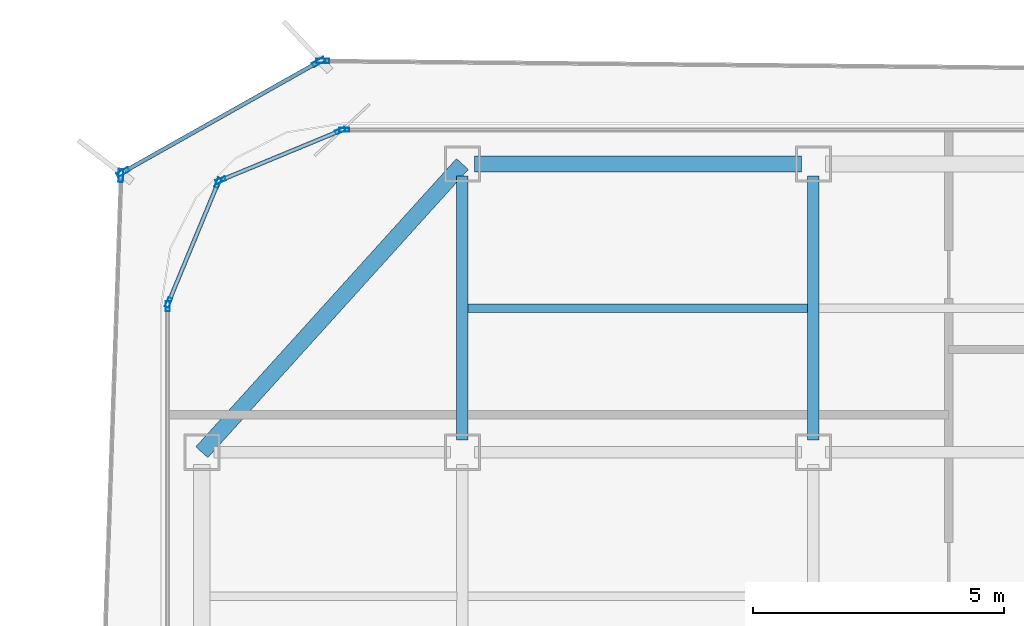
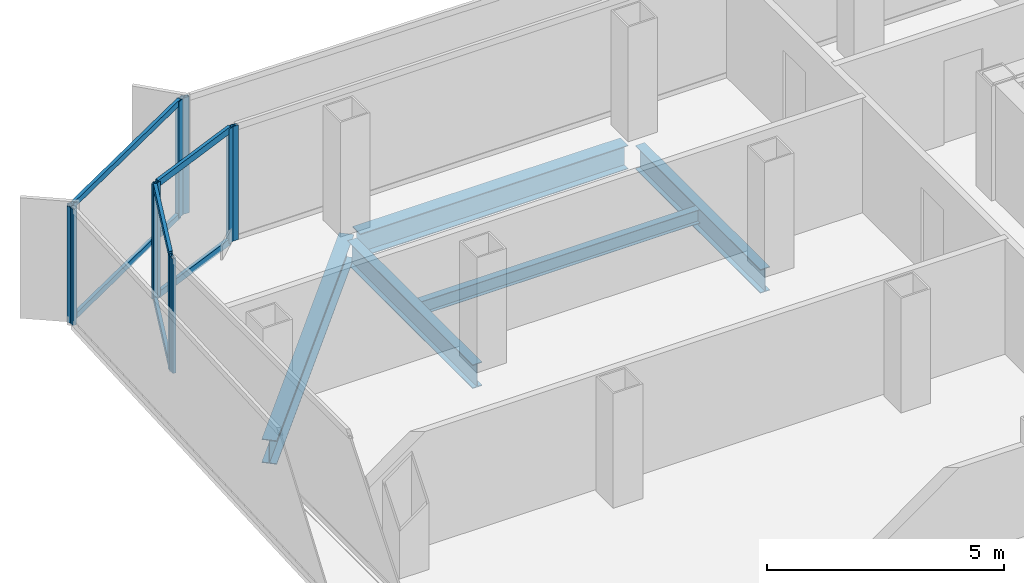
# One storey, part 6 of 15: 16 members, 5 beams, 7 elements without a shape of their own.
"""IFC4 building model written with IfcOpenShell, lengths in metres."""

from ifc_helpers import new_model, si_unit, direction, frame, origin, origin_2d, place, context, subcontext, project, spatial, hollow_rectangle, i_section, extrude, source, transform, mapped, material, layer, layer_set, material_profile, profile_set, type_object, element, aggregate, save


model = new_model("IFC4")

# Units and contexts
model_context = context("Model", 3, precision=1e-05, world=origin(), true_north=direction((0.0, 1.0)))
body_context = subcontext(model_context, "Body", "Model", "MODEL_VIEW")
ifc_project = project(units=[si_unit("LENGTHUNIT", "METRE"), si_unit("AREAUNIT", "SQUARE_METRE"), si_unit("VOLUMEUNIT", "CUBIC_METRE"), si_unit("PLANEANGLEUNIT", "RADIAN"), si_unit("MASSUNIT", "GRAM", prefix="KILO")], contexts=[model_context])

# Site, building, storey
site_placement = place(None, origin())
site = spatial("IfcSite", under=ifc_project, at=site_placement, CompositionType="ELEMENT")
building_placement = place(site_placement, origin())
building = spatial("IfcBuilding", under=site, at=building_placement, Name="Kolveth Station Tower", CompositionType="ELEMENT")
storey_placement = place(building_placement, frame((0.0, 0.0, 199.60009765625)))
storey = spatial("IfcBuildingStorey", under=building, at=storey_placement, Name="L56", CompositionType="ELEMENT", Elevation=199.60009765625)

# Beams
ifc_material_1 = material(Name="Steel S355", Category="steel")
ifc_material_profile_1 = material_profile(ifc_material_1, i_section(OverallWidth=0.323974609375, OverallDepth=0.611083984375, WebThickness=0.0126953125, FlangeThickness=0.01904296875, at=origin_2d()), Name="W610x155")
ifc_profile_set_1 = profile_set([ifc_material_profile_1], Name="Steel S355")
beam_type_1 = type_object("IfcBeamType", Name="Beam_SP2", PredefinedType="SPANDREL", material=ifc_profile_set_1)
shared_shape_1 = source(origin(), body_context, "Body", "SweptSolid", [
    extrude(i_section(OverallWidth=0.323974609375, OverallDepth=0.611083984375, WebThickness=0.0126953125, FlangeThickness=0.01904296875, at=origin_2d()), origin(), (0.0, 0.0, 1.0), 7.75244140625),
])
beam_1_placement = place(storey_placement, frame((6.0, 34.5, -0.5556640625), z_axis=(-0.670740965555, -0.74169168603, 0.0), x_axis=(0.74169168603, -0.670740965555, 0.0)))
element("IfcBeam", 1, at=beam_1_placement, inside=storey, type_object=beam_type_1, Name="L56 Corner Edge Girder BM-L56-CNR-NW", PredefinedType="SPANDREL", context=body_context, shape_type="MappedRepresentation", body=[
    mapped(shared_shape_1, transform((0.0, 0.0, 0.0), x_axis=(1.0, 0.0, 0.0), y_axis=(0.0, 1.0, 0.0), z_axis=(0.0, 0.0, 1.0), scale=1.0)),
])
shared_shape_2 = source(origin(), body_context, "Body", "SweptSolid", [
    extrude(i_section(OverallWidth=0.323974609375, OverallDepth=0.611083984375, WebThickness=0.0126953125, FlangeThickness=0.01904296875, at=origin_2d()), origin(), (0.0, 0.0, 1.0), 6.52001953125),
])
beam_2_placement = place(storey_placement, frame((6.239990234375, 34.5, -0.5556640625), z_axis=(1.0, 0.0, 0.0), x_axis=(0.0, 1.0, 0.0)))
element("IfcBeam", 2, at=beam_2_placement, inside=storey, type_object=beam_type_1, Name="L56 Perimeter Spandrel BM-L56-PN-1", PredefinedType="SPANDREL", context=body_context, shape_type="MappedRepresentation", body=[
    mapped(shared_shape_2, transform((0.0, 0.0, 0.0), x_axis=(1.0, 0.0, 0.0), y_axis=(0.0, 1.0, 0.0), z_axis=(0.0, 0.0, 1.0), scale=1.0)),
])
ifc_material_profile_2 = material_profile(ifc_material_1, i_section(OverallWidth=0.22900390625, OverallDepth=0.612060546875, WebThickness=0.011962890625, FlangeThickness=0.01953125, at=origin_2d()), Name="W610x125")
ifc_profile_set_2 = profile_set([ifc_material_profile_2], Name="Steel S355")
beam_type_2 = type_object("IfcBeamType", Name="Beam_B5", PredefinedType="BEAM", material=ifc_profile_set_2)
shared_shape_3 = source(origin(), body_context, "Body", "SweptSolid", [
    extrude(i_section(OverallWidth=0.22900390625, OverallDepth=0.612060546875, WebThickness=0.011962890625, FlangeThickness=0.01953125, at=origin_2d()), origin(), (0.0, 0.0, 1.0), 5.27001953125),
])
for number, where, z_axis, x_axis, name in (
    (3, (6.0, 28.989990234375, -0.55615234375), (0.0, 1.0, 0.0), (-1.0, 0.0, 0.0), "L56 Primary Girder BM-L56-GX60-6"),
    (4, (13.0, 28.989990234375, -0.55615234375), (0.0, 1.0, 0.0), (-1.0, 0.0, 0.0), "L56 Primary Girder BM-L56-GX130-6"),
):
    element("IfcBeam", number, at=place(storey_placement, frame(where, z_axis=z_axis, x_axis=x_axis)), inside=storey, type_object=beam_type_2, Name=name, PredefinedType="BEAM", context=body_context, shape_type="MappedRepresentation", body=[
        mapped(shared_shape_3, transform((0.0, 0.0, 0.0), x_axis=(1.0, 0.0, 0.0), y_axis=(0.0, 1.0, 0.0), z_axis=(0.0, 0.0, 1.0), scale=1.0)),
    ])
ifc_material_profile_3 = material_profile(ifc_material_1, i_section(OverallWidth=0.1708984375, OverallDepth=0.35205078125, WebThickness=0.0068359375, FlangeThickness=0.009765625, at=origin_2d()), Name="W360x44")
ifc_profile_set_3 = profile_set([ifc_material_profile_3], Name="Steel S355")
beam_type_3 = type_object("IfcBeamType", Name="Beam_J2", PredefinedType="JOIST", material=ifc_profile_set_3)
shared_shape_4 = source(origin(), body_context, "Body", "SweptSolid", [
    extrude(i_section(OverallWidth=0.1708984375, OverallDepth=0.35205078125, WebThickness=0.0068359375, FlangeThickness=0.009765625, at=origin_2d()), origin(), (0.0, 0.0, 1.0), 6.77490234375),
])
beam_3_placement = place(storey_placement, frame((6.112548828125, 31.625, -0.426025390625), z_axis=(1.0, 0.0, 0.0), x_axis=(0.0, 1.0, 0.0)))
element("IfcBeam", 5, at=beam_3_placement, inside=storey, type_object=beam_type_3, Name="L56 Secondary Joist JST-L56-2-6", PredefinedType="JOIST", context=body_context, shape_type="MappedRepresentation", body=[
    mapped(shared_shape_4, transform((0.0, 0.0, 0.0), x_axis=(1.0, 0.0, 0.0), y_axis=(0.0, 1.0, 0.0), z_axis=(0.0, 0.0, 1.0), scale=1.0)),
])

# Curtain wall, member
ifc_material_2 = material(Name="Aluminium 6063-T6 and low-E dark glass", Category="aluminium")
ifc_layer_1 = layer(ifc_material_2, 0.18994140625)
ifc_layer_set_1 = layer_set([ifc_layer_1], Name="Aluminium 6063-T6 and low-E dark glass")
curtain_wall_type_1 = type_object("IfcCurtainWallType", Name="CurtainWall_CW-Z2", PredefinedType="NOTDEFINED", material=ifc_layer_set_1)
curtain_wall_1_placement = place(storey_placement, origin())
curtain_wall_1 = element("IfcCurtainWall", 6, at=curtain_wall_1_placement, inside=storey, type_object=curtain_wall_type_1, Name="L56 Inner Thermal Curtain Wall 6", PredefinedType="NOTDEFINED")
ifc_material_3 = material(Name="Black anodized aluminium 6063-T6", Category="aluminium")
ifc_material_profile_4 = material_profile(ifc_material_3, hollow_rectangle(XDim=0.080078125, YDim=0.199951171875, WallThickness=0.0048828125, at=origin_2d()), Name="ALU-80x200x5")
ifc_profile_set_4 = profile_set([ifc_material_profile_4], Name="Black anodized aluminium 6063-T6")
member_type_1 = type_object("IfcMemberType", Name="Mullion_ML2", PredefinedType="MULLION", material=ifc_profile_set_4)
shared_shape_5 = source(origin(), body_context, "Body", "SweptSolid", [
    extrude(hollow_rectangle(XDim=0.080078125, YDim=0.199951171875, WallThickness=0.0048828125, at=origin_2d()), origin(), (0.0, 0.0, 1.0), 2.949951171875),
])
member_1_placement = place(storey_placement, frame((3.639892578125, 35.179931640625, 0.0), z_axis=(0.0, 0.0, 1.0), x_axis=(0.0, -1.0, 0.0)))
member_1 = element("IfcMember", 7, at=member_1_placement, type_object=member_type_1, Name="CW-Z2 mullion 2", PredefinedType="MULLION", context=body_context, shape_type="MappedRepresentation", body=[
    mapped(shared_shape_5, transform((0.0, 0.0, 0.0), x_axis=(1.0, 0.0, 0.0), y_axis=(0.0, 1.0, 0.0), z_axis=(0.0, 0.0, 1.0), scale=1.0)),
])
aggregate(curtain_wall_1, [member_1])

# Curtain wall, members
curtain_wall_2_placement = place(storey_placement, origin())
curtain_wall_2 = element("IfcCurtainWall", 8, at=curtain_wall_2_placement, inside=storey, type_object=curtain_wall_type_1, Name="L56 Inner Thermal Curtain Wall 7", PredefinedType="NOTDEFINED")
member_2_placement = place(storey_placement, frame((3.56298828125, 35.164794921875, 0.0), z_axis=(0.0, 0.0, 1.0), x_axis=(0.382697753087, -0.923873600544, 0.0)))
member_2 = element("IfcMember", 9, at=member_2_placement, type_object=member_type_1, Name="CW-Z2 mullion 1", PredefinedType="MULLION", context=body_context, shape_type="MappedRepresentation", body=[
    mapped(shared_shape_5, transform((0.0, 0.0, 0.0), x_axis=(1.0, 0.0, 0.0), y_axis=(0.0, 1.0, 0.0), z_axis=(0.0, 0.0, 1.0), scale=1.0)),
])
member_3_placement = place(storey_placement, frame((1.17626953125, 34.176025390625, 0.0), z_axis=(0.0, 0.0, 1.0), x_axis=(0.382697753087, -0.923873600544, 0.0)))
member_3 = element("IfcMember", 10, at=member_3_placement, type_object=member_type_1, Name="CW-Z2 mullion 2", PredefinedType="MULLION", context=body_context, shape_type="MappedRepresentation", body=[
    mapped(shared_shape_5, transform((0.0, 0.0, 0.0), x_axis=(1.0, 0.0, 0.0), y_axis=(0.0, 1.0, 0.0), z_axis=(0.0, 0.0, 1.0), scale=1.0)),
])

curtain_wall_3_placement = place(storey_placement, origin())
curtain_wall_3 = element("IfcCurtainWall", 11, at=curtain_wall_3_placement, inside=storey, type_object=curtain_wall_type_1, Name="L56 Inner Thermal Curtain Wall 8", PredefinedType="NOTDEFINED")
member_4_placement = place(storey_placement, frame((1.1240234375, 34.123779296875, 0.0), z_axis=(0.0, 0.0, 1.0), x_axis=(0.923873600544, -0.382697753087, 0.0)))
member_4 = element("IfcMember", 12, at=member_4_placement, type_object=member_type_1, Name="CW-Z2 mullion 1", PredefinedType="MULLION", context=body_context, shape_type="MappedRepresentation", body=[
    mapped(shared_shape_5, transform((0.0, 0.0, 0.0), x_axis=(1.0, 0.0, 0.0), y_axis=(0.0, 1.0, 0.0), z_axis=(0.0, 0.0, 1.0), scale=1.0)),
])
member_5_placement = place(storey_placement, frame((0.13525390625, 31.737060546875, 0.0), z_axis=(0.0, 0.0, 1.0), x_axis=(0.923873600544, -0.382697753087, 0.0)))
member_5 = element("IfcMember", 13, at=member_5_placement, type_object=member_type_1, Name="CW-Z2 mullion 2", PredefinedType="MULLION", context=body_context, shape_type="MappedRepresentation", body=[
    mapped(shared_shape_5, transform((0.0, 0.0, 0.0), x_axis=(1.0, 0.0, 0.0), y_axis=(0.0, 1.0, 0.0), z_axis=(0.0, 0.0, 1.0), scale=1.0)),
])

# Curtain wall, member
curtain_wall_4_placement = place(storey_placement, origin())
curtain_wall_4 = element("IfcCurtainWall", 14, at=curtain_wall_4_placement, inside=storey, type_object=curtain_wall_type_1, Name="L56 Inner Thermal Curtain Wall 9", PredefinedType="NOTDEFINED")
member_6_placement = place(storey_placement, frame((0.1201171875, 31.659912109375, 0.0), z_axis=(0.0, 0.0, 1.0), x_axis=(1.0, 0.0, 0.0)))
member_6 = element("IfcMember", 15, at=member_6_placement, type_object=member_type_1, Name="CW-Z2 mullion 1", PredefinedType="MULLION", context=body_context, shape_type="MappedRepresentation", body=[
    mapped(shared_shape_5, transform((0.0, 0.0, 0.0), x_axis=(1.0, 0.0, 0.0), y_axis=(0.0, 1.0, 0.0), z_axis=(0.0, 0.0, 1.0), scale=1.0)),
])
aggregate(curtain_wall_4, [member_6])

ifc_material_4 = material(Name="Black anodized aluminium 6063-T6 and dark solar glass", Category="aluminium")
ifc_layer_2 = layer(ifc_material_4, 0.159912109375)
ifc_layer_set_2 = layer_set([ifc_layer_2], Name="Black anodized aluminium 6063-T6 and dark solar glass")
curtain_wall_type_2 = type_object("IfcCurtainWallType", Name="OUTER SKIN CW-OS", PredefinedType="NOTDEFINED", material=ifc_layer_set_2)
curtain_wall_5_placement = place(storey_placement, origin())
curtain_wall_5 = element("IfcCurtainWall", 16, at=curtain_wall_5_placement, inside=storey, type_object=curtain_wall_type_2, Name="L56 Outer Ventilated Skin Curtain Wall 4", PredefinedType="NOTDEFINED")
ifc_material_profile_5 = material_profile(ifc_material_3, hollow_rectangle(XDim=0.090087890625, YDim=0.260009765625, WallThickness=0.0048828125, at=origin_2d()), Name="ALU-90x260x5")
ifc_profile_set_5 = profile_set([ifc_material_profile_5], Name="Black anodized aluminium 6063-T6")
member_type_2 = type_object("IfcMemberType", Name="FIN MULLION ML-OS", PredefinedType="MULLION", material=ifc_profile_set_5)
shared_shape_6 = source(origin(), body_context, "Body", "SweptSolid", [
    extrude(hollow_rectangle(XDim=0.090087890625, YDim=0.260009765625, WallThickness=0.0048828125, at=origin_2d()), origin(), (0.0, 0.0, 1.0), 2.989990234375),
])
member_7_placement = place(storey_placement, frame((3.214599609375, 36.55810546875, 0.0), z_axis=(0.0, 0.0, 1.0), x_axis=(-0.009501450285, -0.999954860202, 0.0)))
member_7 = element("IfcMember", 17, at=member_7_placement, type_object=member_type_2, Name="CW-OS mullion 2", PredefinedType="MULLION", context=body_context, shape_type="MappedRepresentation", body=[
    mapped(shared_shape_6, transform((0.0, 0.0, 0.0), x_axis=(1.0, 0.0, 0.0), y_axis=(0.0, 1.0, 0.0), z_axis=(0.0, 0.0, 1.0), scale=1.0)),
])
aggregate(curtain_wall_5, [member_7])

# Curtain wall, members
curtain_wall_6_placement = place(storey_placement, origin())
curtain_wall_6 = element("IfcCurtainWall", 18, at=curtain_wall_6_placement, inside=storey, type_object=curtain_wall_type_2, Name="L56 Outer Ventilated Skin Curtain Wall 5", PredefinedType="NOTDEFINED")
member_8_placement = place(storey_placement, frame((3.130615234375, 36.53662109375, 0.0), z_axis=(0.0, 0.0, 1.0), x_axis=(0.490830400396, -0.871255139467, 0.0)))
member_8 = element("IfcMember", 19, at=member_8_placement, type_object=member_type_2, Name="CW-OS mullion 1", PredefinedType="MULLION", context=body_context, shape_type="MappedRepresentation", body=[
    mapped(shared_shape_6, transform((0.0, 0.0, 0.0), x_axis=(1.0, 0.0, 0.0), y_axis=(0.0, 1.0, 0.0), z_axis=(0.0, 0.0, 1.0), scale=1.0)),
])
member_9_placement = place(storey_placement, frame((-0.773193359375, 34.33740234375, 0.0), z_axis=(0.0, 0.0, 1.0), x_axis=(0.490830400396, -0.871255139467, 0.0)))
member_9 = element("IfcMember", 20, at=member_9_placement, type_object=member_type_2, Name="CW-OS mullion 2", PredefinedType="MULLION", context=body_context, shape_type="MappedRepresentation", body=[
    mapped(shared_shape_6, transform((0.0, 0.0, 0.0), x_axis=(1.0, 0.0, 0.0), y_axis=(0.0, 1.0, 0.0), z_axis=(0.0, 0.0, 1.0), scale=1.0)),
])

# Curtain wall, member
curtain_wall_7_placement = place(storey_placement, origin())
curtain_wall_7 = element("IfcCurtainWall", 21, at=curtain_wall_7_placement, inside=storey, type_object=curtain_wall_type_2, Name="L56 Outer Ventilated Skin Curtain Wall 6", PredefinedType="NOTDEFINED")
member_10_placement = place(storey_placement, frame((-0.81396484375, 34.270263671875, 0.0), z_axis=(0.0, 0.0, 1.0), x_axis=(0.999395519047, -0.034764874631, 0.0)))
member_10 = element("IfcMember", 22, at=member_10_placement, type_object=member_type_2, Name="CW-OS mullion 1", PredefinedType="MULLION", context=body_context, shape_type="MappedRepresentation", body=[
    mapped(shared_shape_6, transform((0.0, 0.0, 0.0), x_axis=(1.0, 0.0, 0.0), y_axis=(0.0, 1.0, 0.0), z_axis=(0.0, 0.0, 1.0), scale=1.0)),
])
aggregate(curtain_wall_7, [member_10])

# Member
ifc_material_profile_6 = material_profile(ifc_material_3, hollow_rectangle(XDim=0.080078125, YDim=0.169921875, WallThickness=0.0048828125, at=origin_2d()), Name="ALU-80x170x5")
ifc_profile_set_6 = profile_set([ifc_material_profile_6], Name="Black anodized aluminium 6063-T6")
member_type_3 = type_object("IfcMemberType", Name="Transom_TR2", PredefinedType="USERDEFINED", material=ifc_profile_set_6)
shared_shape_7 = source(origin(), body_context, "Body", "SweptSolid", [
    extrude(hollow_rectangle(XDim=0.080078125, YDim=0.169921875, WallThickness=0.0048828125, at=origin_2d()), origin(), (0.0, 0.0, 1.0), 2.50341796875),
])
member_11_placement = place(storey_placement, frame((3.526123046875, 35.1494140625, 0.039794921875), z_axis=(-0.923888472039, -0.382661849723, 0.0), x_axis=(0.382661849723, -0.923888472039, 0.0)))
member_11 = element("IfcMember", 23, at=member_11_placement, type_object=member_type_3, Name="CW-Z2 transom 1.1", ObjectType="TRANSOM", PredefinedType="USERDEFINED", context=body_context, shape_type="MappedRepresentation", body=[
    mapped(shared_shape_7, transform((0.0, 0.0, 0.0), x_axis=(1.0, 0.0, 0.0), y_axis=(0.0, 1.0, 0.0), z_axis=(0.0, 0.0, 1.0), scale=1.0)),
])

member_12_placement = place(storey_placement, frame((3.526123046875, 35.1494140625, 2.909912109375), z_axis=(-0.923888472039, -0.382661849723, 0.0), x_axis=(0.382661849723, -0.923888472039, 0.0)))
member_12 = element("IfcMember", 24, at=member_12_placement, type_object=member_type_3, Name="CW-Z2 transom 1.2", ObjectType="TRANSOM", PredefinedType="USERDEFINED", context=body_context, shape_type="MappedRepresentation", body=[
    mapped(shared_shape_7, transform((0.0, 0.0, 0.0), x_axis=(1.0, 0.0, 0.0), y_axis=(0.0, 1.0, 0.0), z_axis=(0.0, 0.0, 1.0), scale=1.0)),
])

aggregate(curtain_wall_2, [member_2, member_3, member_11, member_12])

member_13_placement = place(storey_placement, frame((1.108642578125, 34.086669921875, 0.039794921875), z_axis=(-0.382696328882, -0.923874190494, 0.0), x_axis=(0.923874190494, -0.382696328882, 0.0)))
member_13 = element("IfcMember", 25, at=member_13_placement, type_object=member_type_3, Name="CW-Z2 transom 1.1", ObjectType="TRANSOM", PredefinedType="USERDEFINED", context=body_context, shape_type="MappedRepresentation", body=[
    mapped(shared_shape_7, transform((0.0, 0.0, 0.0), x_axis=(1.0, 0.0, 0.0), y_axis=(0.0, 1.0, 0.0), z_axis=(0.0, 0.0, 1.0), scale=1.0)),
])

member_14_placement = place(storey_placement, frame((1.108642578125, 34.086669921875, 2.909912109375), z_axis=(-0.382696328882, -0.923874190494, 0.0), x_axis=(0.923874190494, -0.382696328882, 0.0)))
member_14 = element("IfcMember", 26, at=member_14_placement, type_object=member_type_3, Name="CW-Z2 transom 1.2", ObjectType="TRANSOM", PredefinedType="USERDEFINED", context=body_context, shape_type="MappedRepresentation", body=[
    mapped(shared_shape_7, transform((0.0, 0.0, 0.0), x_axis=(1.0, 0.0, 0.0), y_axis=(0.0, 1.0, 0.0), z_axis=(0.0, 0.0, 1.0), scale=1.0)),
])

aggregate(curtain_wall_3, [member_4, member_5, member_13, member_14])

ifc_material_profile_7 = material_profile(ifc_material_3, hollow_rectangle(XDim=0.080078125, YDim=0.14990234375, WallThickness=0.0048828125, at=origin_2d()), Name="ALU-80x150x5")
ifc_profile_set_7 = profile_set([ifc_material_profile_7], Name="Black anodized aluminium 6063-T6")
member_type_4 = type_object("IfcMemberType", Name="Transom_TR-OS", PredefinedType="USERDEFINED", material=ifc_profile_set_7)
shared_shape_8 = source(origin(), body_context, "Body", "SweptSolid", [
    extrude(hollow_rectangle(XDim=0.080078125, YDim=0.14990234375, WallThickness=0.0048828125, at=origin_2d()), origin(), (0.0, 0.0, 1.0), 4.390380859375),
])
member_15_placement = place(storey_placement, frame((3.09130859375, 36.514404296875, 0.039794921875), z_axis=(-0.871248632535, -0.490841950433, 0.0), x_axis=(0.490841950433, -0.871248632535, 0.0)))
member_15 = element("IfcMember", 27, at=member_15_placement, type_object=member_type_4, Name="CW-OS transom 1.1", ObjectType="TRANSOM", PredefinedType="USERDEFINED", context=body_context, shape_type="MappedRepresentation", body=[
    mapped(shared_shape_8, transform((0.0, 0.0, 0.0), x_axis=(1.0, 0.0, 0.0), y_axis=(0.0, 1.0, 0.0), z_axis=(0.0, 0.0, 1.0), scale=1.0)),
])

member_16_placement = place(storey_placement, frame((3.09130859375, 36.514404296875, 2.949951171875), z_axis=(-0.871248632535, -0.490841950433, 0.0), x_axis=(0.490841950433, -0.871248632535, 0.0)))
member_16 = element("IfcMember", 28, at=member_16_placement, type_object=member_type_4, Name="CW-OS transom 1.2", ObjectType="TRANSOM", PredefinedType="USERDEFINED", context=body_context, shape_type="MappedRepresentation", body=[
    mapped(shared_shape_8, transform((0.0, 0.0, 0.0), x_axis=(1.0, 0.0, 0.0), y_axis=(0.0, 1.0, 0.0), z_axis=(0.0, 0.0, 1.0), scale=1.0)),
])

aggregate(curtain_wall_6, [member_8, member_9, member_15, member_16])

save(model, "model.ifc")
